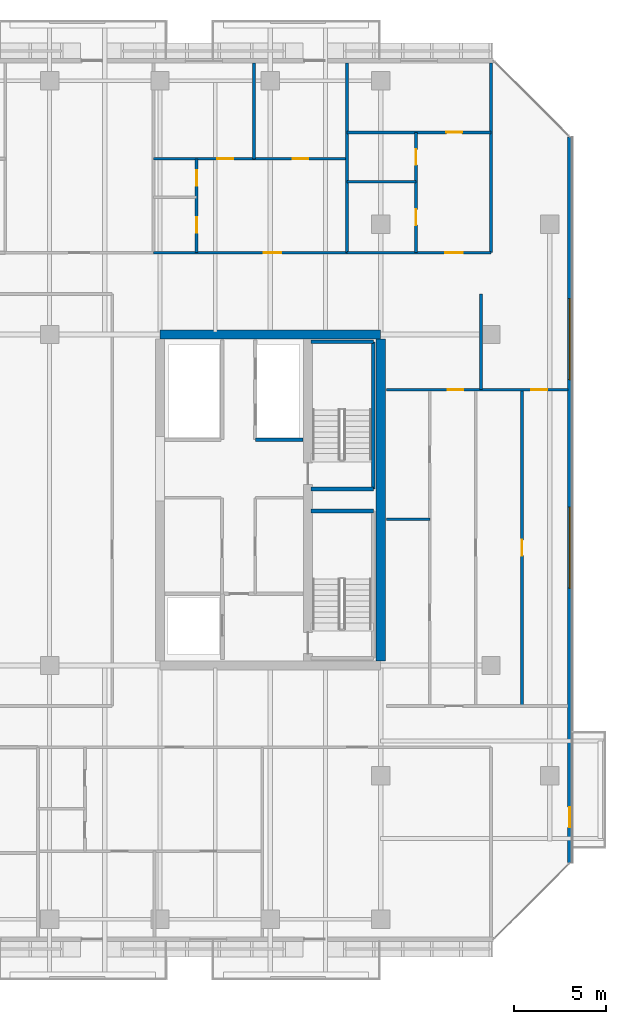
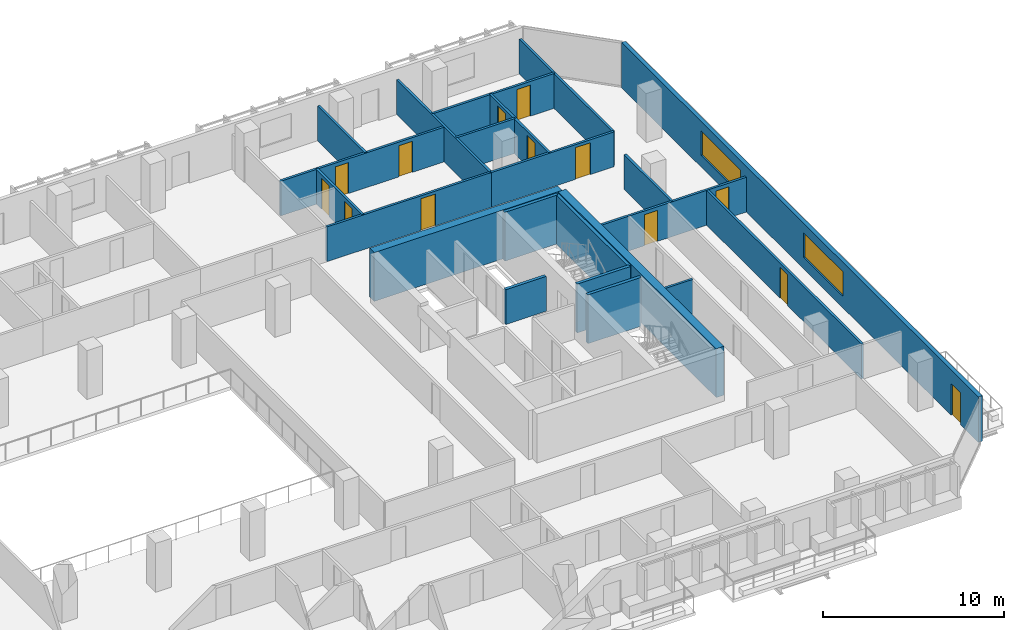
# One storey, part 26 of 33: 22 walls, 13 doors, 2 windows, 15 openings.
"""IFC4 building model written with IfcOpenShell, lengths in metres."""

from ifc_helpers import new_model, si_unit, direction, frame, frame_2d, origin, place, context, subcontext, project, spatial, rectangle, extrude, material, layer, layer_set, type_object, element, fill, save


model = new_model("IFC4")

# Units and contexts
model_context = context("Model", 3, precision=1e-05, world=origin(), true_north=direction((0.0, 1.0)))
body_context = subcontext(model_context, "Body", "Model", "MODEL_VIEW")
ifc_project = project(units=[si_unit("LENGTHUNIT", "METRE"), si_unit("AREAUNIT", "SQUARE_METRE"), si_unit("VOLUMEUNIT", "CUBIC_METRE"), si_unit("PLANEANGLEUNIT", "RADIAN"), si_unit("MASSUNIT", "GRAM", prefix="KILO")], contexts=[model_context])

# Site, building, storey
site_placement = place(None, origin())
site = spatial("IfcSite", under=ifc_project, at=site_placement, CompositionType="ELEMENT")
building_placement = place(site_placement, origin())
building = spatial("IfcBuilding", under=site, at=building_placement, Name="Tanjung Sevakor Pilgrim Tower", CompositionType="ELEMENT")
storey_placement = place(building_placement, frame((0.0, 0.0, 95.3701171875)))
storey = spatial("IfcBuildingStorey", under=building, at=storey_placement, Name="L26", CompositionType="ELEMENT", Elevation=95.3701171875)

# Walls
ifc_material_1 = material(Name="Concrete C60/75", Category="concrete")
ifc_layer_1 = layer(ifc_material_1, 0.5)
ifc_layer_set_1 = layer_set([ifc_layer_1], Name="WALL-CW-500")
wall_type_1 = type_object("IfcWallType", Name="WALL-CW-500", PredefinedType="SHEAR", material=ifc_layer_set_1)
wall_1_placement = place(storey_placement, frame((90.0, 42.60009765625, 0.0), z_axis=(0.0, 0.0, 1.0), x_axis=(-1.0, 0.0, 0.0)))
element("IfcWall", 1, at=wall_1_placement, inside=storey, type_object=wall_type_1, Name="L26 E Core North Shear Wall", PredefinedType="SHEAR", context=body_context, shape_type="SweptSolid", body=[
    extrude(rectangle(XDim=12.0, YDim=0.5, at=frame_2d((6.0, 0.0))), origin(), (0.0, 0.0, 1.0), 3.2998046875),
])
wall_2_placement = place(storey_placement, frame((90.0, 24.85009765625, 0.0), z_axis=(0.0, 0.0, 1.0), x_axis=(0.0, 1.0, 0.0)))
element("IfcWall", 2, at=wall_2_placement, inside=storey, type_object=wall_type_1, Name="L26 E Core Outer Shear Wall", PredefinedType="SHEAR", context=body_context, shape_type="SweptSolid", body=[
    extrude(rectangle(XDim=17.5, YDim=0.5, at=frame_2d((8.75, 0.0))), origin(), (0.0, 0.0, 1.0), 3.2998046875),
])
ifc_material_2 = material(Name="Concrete C40/50", Category="concrete")
ifc_layer_2 = layer(ifc_material_2, 0.14990234375)
ifc_layer_set_2 = layer_set([ifc_layer_2], Name="WT-COMP-150")
wall_type_2 = type_object("IfcWallType", Name="WT-COMP-150", PredefinedType="SOLIDWALL", material=ifc_layer_set_2)
for number, where, z_axis, x_axis, name in (
    (3, (96.0, 47.050048828125, 0.0), (0.0, 0.0, 1.0), (0.0, 1.0, 0.0), "L26 Partition IW-L26-083"),
    (4, (88.164306640625, 47.050048828125, 0.0), (0.0, 0.0, 1.0), (0.0, 1.0, 0.0), "L26 Partition IW-L26-094"),
):
    element("IfcWall", number, at=place(storey_placement, frame(where, z_axis=z_axis, x_axis=x_axis)), inside=storey, type_object=wall_type_2, Name=name, PredefinedType="SOLIDWALL", context=body_context, shape_type="SweptSolid", body=[
        extrude(rectangle(XDim=10.300048828125, YDim=0.14990234375, at=frame_2d((5.14990234375, 0.0))), origin(), (0.0, 0.0, 1.0), 2.35009765625),
    ])

# Wall, opening, door
wall_3_placement = place(storey_placement, frame((77.64208984375, 47.050048828125, 0.0), z_axis=(0.0, 0.0, 1.0), x_axis=(1.0, 0.0, 0.0)))
wall_3 = element("IfcWall", 5, at=wall_3_placement, inside=storey, type_object=wall_type_2, Name="L26 Partition IW-L26-099", PredefinedType="SOLIDWALL", context=body_context, shape_type="SweptSolid", body=[
    extrude(rectangle(XDim=10.522216796875, YDim=0.14990234375, at=frame_2d((5.26123046875, 0.0))), origin(), (0.0, 0.0, 1.0), 2.35009765625),
])
opening_1_placement = place(wall_3_placement, frame((6.001220703125, 0.0, 0.0)))
opening_1 = element("IfcOpeningElement", 6, at=opening_1_placement, cuts=wall_3, Name="Opening ID-FD2", PredefinedType="OPENING", context=body_context, shape_type="SweptSolid", body=[
    extrude(rectangle(XDim=0.949951171875, YDim=2.14990234375, at=frame_2d((0.47509765625, 1.074951171875))), frame((0.0, 0.0849609375, 0.0), z_axis=(0.0, -1.0, 0.0), x_axis=(1.0, 0.0, 0.0)), (0.0, 0.0, 1.0), 0.169921875),
])
ifc_material_3 = material(Name="Fire-Rated Timber", Category="wood")
door_type_1 = type_object("IfcDoorType", Name="DT-FIRE-950", OperationType="NOTDEFINED", PredefinedType="DOOR", material=ifc_material_3)
door_1_placement = place(opening_1_placement, origin())
door_1 = element("IfcDoor", 7, at=door_1_placement, inside=storey, type_object=door_type_1, Name="Suite Entrance", OperationType="SINGLE_SWING_RIGHT", OverallHeight=2.14990234375, OverallWidth=0.949951171875, PredefinedType="DOOR", context=body_context, shape_type="SweptSolid", body=[
    extrude(rectangle(XDim=0.949951171875, YDim=2.14990234375, at=frame_2d((0.47509765625, 1.074951171875))), frame((0.0, 0.02490234375, 0.0), z_axis=(0.0, -1.0, 0.0), x_axis=(1.0, 0.0, 0.0)), (0.0, 0.0, 1.0), 0.050048828125),
])
fill(opening_1, door_1)

wall_4_placement = place(storey_placement, frame((88.164306640625, 47.050048828125, 0.0), z_axis=(0.0, 0.0, 1.0), x_axis=(1.0, 0.0, 0.0)))
wall_4 = element("IfcWall", 8, at=wall_4_placement, inside=storey, type_object=wall_type_2, Name="L26 Partition IW-L26-103", PredefinedType="SOLIDWALL", context=body_context, shape_type="SweptSolid", body=[
    extrude(rectangle(XDim=7.835693359375, YDim=0.14990234375, at=frame_2d((3.91796875, 0.0))), origin(), (0.0, 0.0, 1.0), 2.35009765625),
])
opening_2_placement = place(wall_4_placement, frame((5.360595703125, 0.0, 0.0)))
opening_2 = element("IfcOpeningElement", 9, at=opening_2_placement, cuts=wall_4, Name="Opening ID-FD2", PredefinedType="OPENING", context=body_context, shape_type="SweptSolid", body=[
    extrude(rectangle(XDim=0.949951171875, YDim=2.14990234375, at=frame_2d((0.47509765625, 1.074951171875))), frame((0.0, 0.0849609375, 0.0), z_axis=(0.0, -1.0, 0.0), x_axis=(1.0, 0.0, 0.0)), (0.0, 0.0, 1.0), 0.169921875),
])
door_2_placement = place(opening_2_placement, origin())
door_2 = element("IfcDoor", 10, at=door_2_placement, inside=storey, type_object=door_type_1, Name="Residence Entrance", OperationType="SINGLE_SWING_RIGHT", OverallHeight=2.14990234375, OverallWidth=0.949951171875, PredefinedType="DOOR", context=body_context, shape_type="SweptSolid", body=[
    extrude(rectangle(XDim=0.949951171875, YDim=2.14990234375, at=frame_2d((0.47509765625, 1.074951171875))), frame((0.0, 0.02490234375, 0.0), z_axis=(0.0, -1.0, 0.0), x_axis=(1.0, 0.0, 0.0)), (0.0, 0.0, 1.0), 0.050048828125),
])
fill(opening_2, door_2)

# Wall, openings, door, windows
ifc_material_4 = material(Name="Precast concrete C45/55", Category="concrete")
ifc_layer_3 = layer(ifc_material_4, 0.25)
ifc_layer_set_3 = layer_set([ifc_layer_3], Name="WT-EW-STN3")
wall_type_3 = type_object("IfcWallType", Name="WT-EW-STN3", PredefinedType="SOLIDWALL", material=ifc_layer_set_3)
wall_5_placement = place(storey_placement, frame((100.27490234375, 13.851806640625, 0.0), z_axis=(0.0, 0.0, 1.0), x_axis=(0.0, 1.0, 0.0)))
wall_5 = element("IfcWall", 11, at=wall_5_placement, inside=storey, type_object=wall_type_3, Name="L26 MAIN Exterior Wall 7", PredefinedType="SOLIDWALL", context=body_context, shape_type="SweptSolid", body=[
    extrude(rectangle(XDim=39.496337890625, YDim=0.25, at=frame_2d((19.748046875, 0.0))), origin(), (0.0, 0.0, 1.0), 3.080078125),
])
opening_3_placement = place(wall_5_placement, frame((1.9482421875, 0.0, 0.0)))
opening_3 = element("IfcOpeningElement", 12, at=opening_3_placement, cuts=wall_5, Name="Opening ED-BAL-1100", PredefinedType="OPENING", context=body_context, shape_type="SweptSolid", body=[
    extrude(rectangle(XDim=1.10009765625, YDim=2.14990234375, at=frame_2d((0.550048828125, 1.074951171875))), frame((0.0, 0.135009765625, 0.0), z_axis=(0.0, -1.0, 0.0), x_axis=(1.0, 0.0, 0.0)), (0.0, 0.0, 1.0), 0.27001953125),
])
opening_4_placement = place(wall_5_placement, frame((14.958251953125, 0.0, 0.780029296875)))
opening_4 = element("IfcOpeningElement", 13, at=opening_4_placement, cuts=wall_5, Name="Opening WN-ENDW-1660", PredefinedType="OPENING", context=body_context, shape_type="SweptSolid", body=[
    extrude(rectangle(XDim=4.39990234375, YDim=1.659912109375, at=frame_2d((2.199951171875, 0.830078125))), frame((0.0, 0.135009765625, 0.0), z_axis=(0.0, -1.0, 0.0), x_axis=(1.0, 0.0, 0.0)), (0.0, 0.0, 1.0), 0.27001953125),
])
opening_5_placement = place(wall_5_placement, frame((26.298095703125, 0.0, 0.780029296875)))
opening_5 = element("IfcOpeningElement", 14, at=opening_5_placement, cuts=wall_5, Name="Opening WN-ENDW-1660", PredefinedType="OPENING", context=body_context, shape_type="SweptSolid", body=[
    extrude(rectangle(XDim=4.39990234375, YDim=1.659912109375, at=frame_2d((2.199951171875, 0.830078125))), frame((0.0, 0.135009765625, 0.0), z_axis=(0.0, -1.0, 0.0), x_axis=(1.0, 0.0, 0.0)), (0.0, 0.0, 1.0), 0.27001953125),
])
ifc_material_5 = material(Name="Anodised Aluminium and Laminated Glass", Category="aluminium")
door_type_2 = type_object("IfcDoorType", Name="DTYP-ED-BAL-1100", OperationType="NOTDEFINED", PredefinedType="DOOR", material=ifc_material_5)
door_3_placement = place(opening_3_placement, frame((1.10009765625, 0.0, 0.0), z_axis=(0.0, 0.0, 1.0), x_axis=(-1.0, 0.0, 0.0)))
door_3 = element("IfcDoor", 15, at=door_3_placement, inside=storey, type_object=door_type_2, Name="L26 East Loggia Door MAIN-E1", OperationType="SINGLE_SWING_RIGHT", OverallHeight=2.14990234375, OverallWidth=1.10009765625, PredefinedType="DOOR", context=body_context, shape_type="SweptSolid", body=[
    extrude(rectangle(XDim=1.10009765625, YDim=2.14990234375, at=frame_2d((0.550048828125, 1.074951171875))), frame((0.0, 0.02490234375, 0.0), z_axis=(0.0, -1.0, 0.0), x_axis=(1.0, 0.0, 0.0)), (0.0, 0.0, 1.0), 0.050048828125),
])
fill(opening_3, door_3)
ifc_material_6 = material(Name="Thermally Broken Aluminium and Low-E Glass", Category="aluminium")
window_type = type_object("IfcWindowType", Name="WTYP-WN-ENDW-1660", PartitioningType="DOUBLE_PANEL_VERTICAL", PredefinedType="WINDOW", material=ifc_material_6)
window_1_placement = place(opening_4_placement, origin())
window_1 = element("IfcWindow", 16, at=window_1_placement, inside=storey, type_object=window_type, Name="L26 Facade Window 01", OverallHeight=1.659912109375, OverallWidth=4.39990234375, PartitioningType="SINGLE_PANEL", PredefinedType="WINDOW", context=body_context, shape_type="SweptSolid", body=[
    extrude(rectangle(XDim=4.39990234375, YDim=1.659912109375, at=frame_2d((2.199951171875, 0.830078125))), frame((0.0, 0.030029296875, 0.0), z_axis=(0.0, -1.0, 0.0), x_axis=(1.0, 0.0, 0.0)), (0.0, 0.0, 1.0), 0.06005859375),
])
fill(opening_4, window_1)
window_2_placement = place(opening_5_placement, origin())
window_2 = element("IfcWindow", 17, at=window_2_placement, inside=storey, type_object=window_type, Name="L26 Facade Window 02", OverallHeight=1.659912109375, OverallWidth=4.39990234375, PartitioningType="SINGLE_PANEL", PredefinedType="WINDOW", context=body_context, shape_type="SweptSolid", body=[
    extrude(rectangle(XDim=4.39990234375, YDim=1.659912109375, at=frame_2d((2.199951171875, 0.830078125))), frame((0.0, 0.030029296875, 0.0), z_axis=(0.0, -1.0, 0.0), x_axis=(1.0, 0.0, 0.0)), (0.0, 0.0, 1.0), 0.06005859375),
])
fill(opening_5, window_2)

# Walls
ifc_material_7 = material(Name="Concrete C40/50", Category="concrete")
ifc_layer_4 = layer(ifc_material_7, 0.199951171875)
ifc_layer_set_4 = layer_set([ifc_layer_4], Name="WT-FIRE-200")
wall_type_4 = type_object("IfcWallType", Name="WT-FIRE-200", PredefinedType="SOLIDWALL", material=ifc_layer_set_4)
for number, where, z_axis, x_axis, name in (
    (18, (89.60009765625, 33.0, 0.0), (0.0, 0.0, 1.0), (-1.0, 0.0, 0.0), "L26 TS-E1 Shaft Wall 3"),
    (19, (86.199951171875, 34.199951171875, 0.0), (0.0, 0.0, 1.0), (1.0, 0.0, 0.0), "L26 TS-E2 Shaft Wall 1"),
):
    element("IfcWall", number, at=place(storey_placement, frame(where, z_axis=z_axis, x_axis=x_axis)), inside=storey, type_object=wall_type_4, Name=name, PredefinedType="SOLIDWALL", context=body_context, shape_type="SweptSolid", body=[
        extrude(rectangle(XDim=3.400146484375, YDim=0.199951171875, at=frame_2d((1.7001953125, 0.0))), origin(), (0.0, 0.0, 1.0), 3.2998046875),
    ])
wall_6_placement = place(storey_placement, frame((89.60009765625, 34.199951171875, 0.0), z_axis=(0.0, 0.0, 1.0), x_axis=(0.0, 1.0, 0.0)))
element("IfcWall", 20, at=wall_6_placement, inside=storey, type_object=wall_type_4, Name="L26 TS-E2 Shaft Wall 2", PredefinedType="SOLIDWALL", context=body_context, shape_type="SweptSolid", body=[
    extrude(rectangle(XDim=8.0, YDim=0.199951171875, at=frame_2d((4.0, 0.0))), origin(), (0.0, 0.0, 1.0), 3.2998046875),
])
wall_7_placement = place(storey_placement, frame((89.60009765625, 42.199951171875, 0.0), z_axis=(0.0, 0.0, 1.0), x_axis=(-1.0, 0.0, 0.0)))
element("IfcWall", 21, at=wall_7_placement, inside=storey, type_object=wall_type_4, Name="L26 TS-E2 Shaft Wall 3", PredefinedType="SOLIDWALL", context=body_context, shape_type="SweptSolid", body=[
    extrude(rectangle(XDim=3.400146484375, YDim=0.199951171875, at=frame_2d((1.7001953125, 0.0))), origin(), (0.0, 0.0, 1.0), 3.2998046875),
])
ifc_material_8 = material(Name="Concrete C40/50", Category="concrete")
ifc_layer_5 = layer(ifc_material_8, 0.199951171875)
ifc_layer_set_5 = layer_set([ifc_layer_5], Name="WT-FPRT-200")
wall_type_5 = type_object("IfcWallType", Name="WT-FPRT-200", PredefinedType="SOLIDWALL", material=ifc_layer_set_5)
wall_8_placement = place(storey_placement, frame((83.199951171875, 36.8798828125, 0.0), z_axis=(0.0, 0.0, 1.0), x_axis=(1.0, 0.0, 0.0)))
element("IfcWall", 22, at=wall_8_placement, inside=storey, type_object=wall_type_5, Name="L26 Partition IW-L26-017", PredefinedType="SOLIDWALL", context=body_context, shape_type="SweptSolid", body=[
    extrude(rectangle(XDim=2.580078125, YDim=0.199951171875, at=frame_2d((1.2900390625, 0.0))), origin(), (0.0, 0.0, 1.0), 2.35009765625),
])

# Wall, opening, door
ifc_material_9 = material(Name="Gypsum Board Partition", Category="gypsum board")
ifc_layer_6 = layer(ifc_material_9, 0.14990234375)
ifc_layer_set_6 = layer_set([ifc_layer_6], Name="WT-PART-150")
wall_type_6 = type_object("IfcWallType", Name="WT-PART-150", PredefinedType="PARTITIONING", material=ifc_layer_set_6)
wall_9_placement = place(storey_placement, frame((97.683349609375, 22.39990234375, 0.0), z_axis=(0.0, 0.0, 1.0), x_axis=(0.0, 1.0, 0.0)))
wall_9 = element("IfcWall", 23, at=wall_9_placement, inside=storey, type_object=wall_type_6, Name="L26 Partition IW-L26-031", PredefinedType="PARTITIONING", context=body_context, shape_type="SweptSolid", body=[
    extrude(rectangle(XDim=17.2001953125, YDim=0.14990234375, at=frame_2d((8.60009765625, 0.0))), origin(), (0.0, 0.0, 1.0), 2.35009765625),
])
opening_6_placement = place(wall_9_placement, frame((8.175048828125, 0.0, 0.0)))
opening_6 = element("IfcOpeningElement", 24, at=opening_6_placement, cuts=wall_9, Name="Opening ID-WC1", PredefinedType="OPENING", context=body_context, shape_type="SweptSolid", body=[
    extrude(rectangle(XDim=0.85009765625, YDim=2.10009765625, at=frame_2d((0.425048828125, 1.050048828125))), frame((0.0, 0.0849609375, 0.0), z_axis=(0.0, -1.0, 0.0), x_axis=(1.0, 0.0, 0.0)), (0.0, 0.0, 1.0), 0.169921875),
])
ifc_material_10 = material(Name="Moisture-Resistant Timber", Category="wood")
door_type_3 = type_object("IfcDoorType", Name="DT-INT-850", OperationType="NOTDEFINED", PredefinedType="DOOR", material=ifc_material_10)
door_4_placement = place(opening_6_placement, origin())
door_4 = element("IfcDoor", 25, at=door_4_placement, inside=storey, type_object=door_type_3, Name="Suite Reading Room Door", OperationType="SINGLE_SWING_RIGHT", OverallHeight=2.10009765625, OverallWidth=0.85009765625, PredefinedType="DOOR", context=body_context, shape_type="SweptSolid", body=[
    extrude(rectangle(XDim=0.85009765625, YDim=2.10009765625, at=frame_2d((0.425048828125, 1.050048828125))), frame((0.0, 0.02490234375, 0.0), z_axis=(0.0, -1.0, 0.0), x_axis=(1.0, 0.0, 0.0)), (0.0, 0.0, 1.0), 0.050048828125),
])
fill(opening_6, door_4)

# Walls
wall_10_placement = place(storey_placement, frame((90.320068359375, 32.548095703125, 0.0), z_axis=(0.0, 0.0, 1.0), x_axis=(1.0, 0.0, 0.0)))
element("IfcWall", 26, at=wall_10_placement, inside=storey, type_object=wall_type_6, Name="L26 Partition IW-L26-032", PredefinedType="PARTITIONING", context=body_context, shape_type="SweptSolid", body=[
    extrude(rectangle(XDim=2.349853515625, YDim=0.14990234375, at=frame_2d((1.1748046875, 0.0))), origin(), (0.0, 0.0, 1.0), 2.35009765625),
])
wall_11_placement = place(storey_placement, frame((95.452392578125, 39.60009765625, 0.0), z_axis=(0.0, 0.0, 1.0), x_axis=(0.0, 1.0, 0.0)))
element("IfcWall", 27, at=wall_11_placement, inside=storey, type_object=wall_type_6, Name="L26 Partition IW-L26-034", PredefinedType="PARTITIONING", context=body_context, shape_type="SweptSolid", body=[
    extrude(rectangle(XDim=5.199951171875, YDim=0.14990234375, at=frame_2d((2.60009765625, 0.0))), origin(), (0.0, 0.0, 1.0), 2.35009765625),
])

# Wall, openings, doors
wall_12_placement = place(storey_placement, frame((90.320068359375, 39.60009765625, 0.0), z_axis=(0.0, 0.0, 1.0), x_axis=(1.0, 0.0, 0.0)))
wall_12 = element("IfcWall", 28, at=wall_12_placement, inside=storey, type_object=wall_type_6, Name="L26 Partition IW-L26-035", PredefinedType="PARTITIONING", context=body_context, shape_type="SweptSolid", body=[
    extrude(rectangle(XDim=9.869873046875, YDim=0.14990234375, at=frame_2d((4.93505859375, 0.0))), origin(), (0.0, 0.0, 1.0), 2.35009765625),
])
opening_7_placement = place(wall_12_placement, frame((3.316162109375, 0.0, 0.0)))
opening_7 = element("IfcOpeningElement", 29, at=opening_7_placement, cuts=wall_12, Name="Opening ID-WC1", PredefinedType="OPENING", context=body_context, shape_type="SweptSolid", body=[
    extrude(rectangle(XDim=0.85009765625, YDim=2.10009765625, at=frame_2d((0.425048828125, 1.050048828125))), frame((0.0, 0.0849609375, 0.0), z_axis=(0.0, -1.0, 0.0), x_axis=(1.0, 0.0, 0.0)), (0.0, 0.0, 1.0), 0.169921875),
])
opening_8_placement = place(wall_12_placement, frame((7.876220703125, 0.0, 0.0)))
opening_8 = element("IfcOpeningElement", 30, at=opening_8_placement, cuts=wall_12, Name="Opening ID-WC1", PredefinedType="OPENING", context=body_context, shape_type="SweptSolid", body=[
    extrude(rectangle(XDim=0.85009765625, YDim=2.10009765625, at=frame_2d((0.425048828125, 1.050048828125))), frame((0.0, 0.0849609375, 0.0), z_axis=(0.0, -1.0, 0.0), x_axis=(1.0, 0.0, 0.0)), (0.0, 0.0, 1.0), 0.169921875),
])
door_5_placement = place(opening_7_placement, origin())
door_5 = element("IfcDoor", 31, at=door_5_placement, inside=storey, type_object=door_type_3, Name="Suite Bedroom 1 Door", OperationType="SINGLE_SWING_LEFT", OverallHeight=2.10009765625, OverallWidth=0.85009765625, PredefinedType="DOOR", context=body_context, shape_type="SweptSolid", body=[
    extrude(rectangle(XDim=0.85009765625, YDim=2.10009765625, at=frame_2d((0.425048828125, 1.050048828125))), frame((0.0, 0.02490234375, 0.0), z_axis=(0.0, -1.0, 0.0), x_axis=(1.0, 0.0, 0.0)), (0.0, 0.0, 1.0), 0.050048828125),
])
fill(opening_7, door_5)
door_6_placement = place(opening_8_placement, origin())
door_6 = element("IfcDoor", 32, at=door_6_placement, inside=storey, type_object=door_type_3, Name="Suite Bedroom 2 Door", OperationType="SINGLE_SWING_RIGHT", OverallHeight=2.10009765625, OverallWidth=0.85009765625, PredefinedType="DOOR", context=body_context, shape_type="SweptSolid", body=[
    extrude(rectangle(XDim=0.85009765625, YDim=2.10009765625, at=frame_2d((0.425048828125, 1.050048828125))), frame((0.0, 0.02490234375, 0.0), z_axis=(0.0, -1.0, 0.0), x_axis=(1.0, 0.0, 0.0)), (0.0, 0.0, 1.0), 0.050048828125),
])
fill(opening_8, door_6)

wall_13_placement = place(storey_placement, frame((79.9921875, 47.050048828125, 0.0), z_axis=(0.0, 0.0, 1.0), x_axis=(0.0, 1.0, 0.0)))
wall_13 = element("IfcWall", 33, at=wall_13_placement, inside=storey, type_object=wall_type_6, Name="L26 Partition IW-L26-096", PredefinedType="PARTITIONING", context=body_context, shape_type="SweptSolid", body=[
    extrude(rectangle(XDim=5.099853515625, YDim=0.14990234375, at=frame_2d((2.5498046875, 0.0))), origin(), (0.0, 0.0, 1.0), 2.35009765625),
])
opening_9_placement = place(wall_13_placement, frame((1.07958984375, 0.0, 0.0)))
opening_9 = element("IfcOpeningElement", 34, at=opening_9_placement, cuts=wall_13, Name="Opening ID-WC1", PredefinedType="OPENING", context=body_context, shape_type="SweptSolid", body=[
    extrude(rectangle(XDim=0.85009765625, YDim=2.10009765625, at=frame_2d((0.425048828125, 1.050048828125))), frame((0.0, 0.0849609375, 0.0), z_axis=(0.0, -1.0, 0.0), x_axis=(1.0, 0.0, 0.0)), (0.0, 0.0, 1.0), 0.169921875),
])
opening_10_placement = place(wall_13_placement, frame((3.62939453125, 0.0, 0.0)))
opening_10 = element("IfcOpeningElement", 35, at=opening_10_placement, cuts=wall_13, Name="Opening ID-WC1", PredefinedType="OPENING", context=body_context, shape_type="SweptSolid", body=[
    extrude(rectangle(XDim=0.85009765625, YDim=2.10009765625, at=frame_2d((0.425048828125, 1.050048828125))), frame((0.0, 0.0849609375, 0.0), z_axis=(0.0, -1.0, 0.0), x_axis=(1.0, 0.0, 0.0)), (0.0, 0.0, 1.0), 0.169921875),
])
door_7_placement = place(opening_9_placement, origin())
door_7 = element("IfcDoor", 36, at=door_7_placement, inside=storey, type_object=door_type_3, Name="Suite Kitchenette Door", OperationType="SINGLE_SWING_RIGHT", OverallHeight=2.10009765625, OverallWidth=0.85009765625, PredefinedType="DOOR", context=body_context, shape_type="SweptSolid", body=[
    extrude(rectangle(XDim=0.85009765625, YDim=2.10009765625, at=frame_2d((0.425048828125, 1.050048828125))), frame((0.0, 0.02490234375, 0.0), z_axis=(0.0, -1.0, 0.0), x_axis=(1.0, 0.0, 0.0)), (0.0, 0.0, 1.0), 0.050048828125),
])
fill(opening_9, door_7)
door_8_placement = place(opening_10_placement, origin())
door_8 = element("IfcDoor", 37, at=door_8_placement, inside=storey, type_object=door_type_3, Name="Suite Bathroom Door", OperationType="SINGLE_SWING_LEFT", OverallHeight=2.10009765625, OverallWidth=0.85009765625, PredefinedType="DOOR", context=body_context, shape_type="SweptSolid", body=[
    extrude(rectangle(XDim=0.85009765625, YDim=2.10009765625, at=frame_2d((0.425048828125, 1.050048828125))), frame((0.0, 0.02490234375, 0.0), z_axis=(0.0, -1.0, 0.0), x_axis=(1.0, 0.0, 0.0)), (0.0, 0.0, 1.0), 0.050048828125),
])
fill(opening_10, door_8)

# Wall
wall_14_placement = place(storey_placement, frame((83.113525390625, 52.14990234375, 0.0), z_axis=(0.0, 0.0, 1.0), x_axis=(0.0, 1.0, 0.0)))
element("IfcWall", 38, at=wall_14_placement, inside=storey, type_object=wall_type_6, Name="L26 Partition IW-L26-097", PredefinedType="PARTITIONING", context=body_context, shape_type="SweptSolid", body=[
    extrude(rectangle(XDim=5.2001953125, YDim=0.14990234375, at=frame_2d((2.60009765625, 0.0))), origin(), (0.0, 0.0, 1.0), 2.35009765625),
])

# Wall, openings, doors
wall_15_placement = place(storey_placement, frame((77.64208984375, 52.14990234375, 0.0), z_axis=(0.0, 0.0, 1.0), x_axis=(1.0, 0.0, 0.0)))
wall_15 = element("IfcWall", 39, at=wall_15_placement, inside=storey, type_object=wall_type_6, Name="L26 Partition IW-L26-098", PredefinedType="PARTITIONING", context=body_context, shape_type="SweptSolid", body=[
    extrude(rectangle(XDim=10.522216796875, YDim=0.14990234375, at=frame_2d((5.26123046875, 0.0))), origin(), (0.0, 0.0, 1.0), 2.35009765625),
])
opening_11_placement = place(wall_15_placement, frame((3.48583984375, 0.0, 0.0)))
opening_11 = element("IfcOpeningElement", 40, at=opening_11_placement, cuts=wall_15, Name="Opening ID-WC1", PredefinedType="OPENING", context=body_context, shape_type="SweptSolid", body=[
    extrude(rectangle(XDim=0.85009765625, YDim=2.10009765625, at=frame_2d((0.425048828125, 1.050048828125))), frame((0.0, 0.0849609375, 0.0), z_axis=(0.0, -1.0, 0.0), x_axis=(1.0, 0.0, 0.0)), (0.0, 0.0, 1.0), 0.169921875),
])
opening_12_placement = place(wall_15_placement, frame((7.57177734375, 0.0, 0.0)))
opening_12 = element("IfcOpeningElement", 41, at=opening_12_placement, cuts=wall_15, Name="Opening ID-WC1", PredefinedType="OPENING", context=body_context, shape_type="SweptSolid", body=[
    extrude(rectangle(XDim=0.85009765625, YDim=2.10009765625, at=frame_2d((0.425048828125, 1.050048828125))), frame((0.0, 0.0849609375, 0.0), z_axis=(0.0, -1.0, 0.0), x_axis=(1.0, 0.0, 0.0)), (0.0, 0.0, 1.0), 0.169921875),
])
door_9_placement = place(opening_11_placement, origin())
door_9 = element("IfcDoor", 42, at=door_9_placement, inside=storey, type_object=door_type_3, Name="Suite Bedroom 1 Door", OperationType="SINGLE_SWING_RIGHT", OverallHeight=2.10009765625, OverallWidth=0.85009765625, PredefinedType="DOOR", context=body_context, shape_type="SweptSolid", body=[
    extrude(rectangle(XDim=0.85009765625, YDim=2.10009765625, at=frame_2d((0.425048828125, 1.050048828125))), frame((0.0, 0.02490234375, 0.0), z_axis=(0.0, -1.0, 0.0), x_axis=(1.0, 0.0, 0.0)), (0.0, 0.0, 1.0), 0.050048828125),
])
fill(opening_11, door_9)
door_10_placement = place(opening_12_placement, origin())
door_10 = element("IfcDoor", 43, at=door_10_placement, inside=storey, type_object=door_type_3, Name="Suite Bedroom 2 Door", OperationType="SINGLE_SWING_LEFT", OverallHeight=2.10009765625, OverallWidth=0.85009765625, PredefinedType="DOOR", context=body_context, shape_type="SweptSolid", body=[
    extrude(rectangle(XDim=0.85009765625, YDim=2.10009765625, at=frame_2d((0.425048828125, 1.050048828125))), frame((0.0, 0.02490234375, 0.0), z_axis=(0.0, -1.0, 0.0), x_axis=(1.0, 0.0, 0.0)), (0.0, 0.0, 1.0), 0.050048828125),
])
fill(opening_12, door_10)

# Wall
wall_16_placement = place(storey_placement, frame((88.164306640625, 50.90576171875, 0.0), z_axis=(0.0, 0.0, 1.0), x_axis=(1.0, 0.0, 0.0)))
element("IfcWall", 44, at=wall_16_placement, inside=storey, type_object=wall_type_6, Name="L26 Partition IW-L26-100", PredefinedType="PARTITIONING", context=body_context, shape_type="SweptSolid", body=[
    extrude(rectangle(XDim=3.755615234375, YDim=0.14990234375, at=frame_2d((1.8779296875, 0.0))), origin(), (0.0, 0.0, 1.0), 2.35009765625),
])

# Wall, openings, doors
wall_17_placement = place(storey_placement, frame((91.919921875, 47.050048828125, 0.0), z_axis=(0.0, 0.0, 1.0), x_axis=(0.0, 1.0, 0.0)))
wall_17 = element("IfcWall", 45, at=wall_17_placement, inside=storey, type_object=wall_type_6, Name="L26 Partition IW-L26-101", PredefinedType="PARTITIONING", context=body_context, shape_type="SweptSolid", body=[
    extrude(rectangle(XDim=6.53515625, YDim=0.14990234375, at=frame_2d((3.267578125, 0.0))), origin(), (0.0, 0.0, 1.0), 2.35009765625),
])
opening_13_placement = place(wall_17_placement, frame((1.5029296875, 0.0, 0.0)))
opening_13 = element("IfcOpeningElement", 46, at=opening_13_placement, cuts=wall_17, Name="Opening ID-WC1", PredefinedType="OPENING", context=body_context, shape_type="SweptSolid", body=[
    extrude(rectangle(XDim=0.85009765625, YDim=2.10009765625, at=frame_2d((0.425048828125, 1.050048828125))), frame((0.0, 0.0849609375, 0.0), z_axis=(0.0, -1.0, 0.0), x_axis=(1.0, 0.0, 0.0)), (0.0, 0.0, 1.0), 0.169921875),
])
opening_14_placement = place(wall_17_placement, frame((4.7705078125, 0.0, 0.0)))
opening_14 = element("IfcOpeningElement", 47, at=opening_14_placement, cuts=wall_17, Name="Opening ID-WC1", PredefinedType="OPENING", context=body_context, shape_type="SweptSolid", body=[
    extrude(rectangle(XDim=0.85009765625, YDim=2.10009765625, at=frame_2d((0.425048828125, 1.050048828125))), frame((0.0, 0.0849609375, 0.0), z_axis=(0.0, -1.0, 0.0), x_axis=(1.0, 0.0, 0.0)), (0.0, 0.0, 1.0), 0.169921875),
])
door_11_placement = place(opening_13_placement, origin())
door_11 = element("IfcDoor", 48, at=door_11_placement, inside=storey, type_object=door_type_3, Name="Residence Kitchenette Door", OperationType="SINGLE_SWING_LEFT", OverallHeight=2.10009765625, OverallWidth=0.85009765625, PredefinedType="DOOR", context=body_context, shape_type="SweptSolid", body=[
    extrude(rectangle(XDim=0.85009765625, YDim=2.10009765625, at=frame_2d((0.425048828125, 1.050048828125))), frame((0.0, 0.02490234375, 0.0), z_axis=(0.0, -1.0, 0.0), x_axis=(1.0, 0.0, 0.0)), (0.0, 0.0, 1.0), 0.050048828125),
])
fill(opening_13, door_11)
door_12_placement = place(opening_14_placement, origin())
door_12 = element("IfcDoor", 49, at=door_12_placement, inside=storey, type_object=door_type_3, Name="Residence Bathroom Door", OperationType="SINGLE_SWING_RIGHT", OverallHeight=2.10009765625, OverallWidth=0.85009765625, PredefinedType="DOOR", context=body_context, shape_type="SweptSolid", body=[
    extrude(rectangle(XDim=0.85009765625, YDim=2.10009765625, at=frame_2d((0.425048828125, 1.050048828125))), frame((0.0, 0.02490234375, 0.0), z_axis=(0.0, -1.0, 0.0), x_axis=(1.0, 0.0, 0.0)), (0.0, 0.0, 1.0), 0.050048828125),
])
fill(opening_14, door_12)

# Wall, opening, door
wall_18_placement = place(storey_placement, frame((88.164306640625, 53.585205078125, 0.0), z_axis=(0.0, 0.0, 1.0), x_axis=(1.0, 0.0, 0.0)))
wall_18 = element("IfcWall", 50, at=wall_18_placement, inside=storey, type_object=wall_type_6, Name="L26 Partition IW-L26-102", PredefinedType="PARTITIONING", context=body_context, shape_type="SweptSolid", body=[
    extrude(rectangle(XDim=7.835693359375, YDim=0.14990234375, at=frame_2d((3.91796875, 0.0))), origin(), (0.0, 0.0, 1.0), 2.35009765625),
])
opening_15_placement = place(wall_18_placement, frame((5.41064453125, 0.0, 0.0)))
opening_15 = element("IfcOpeningElement", 51, at=opening_15_placement, cuts=wall_18, Name="Opening ID-WC1", PredefinedType="OPENING", context=body_context, shape_type="SweptSolid", body=[
    extrude(rectangle(XDim=0.85009765625, YDim=2.10009765625, at=frame_2d((0.425048828125, 1.050048828125))), frame((0.0, 0.0849609375, 0.0), z_axis=(0.0, -1.0, 0.0), x_axis=(1.0, 0.0, 0.0)), (0.0, 0.0, 1.0), 0.169921875),
])
door_13_placement = place(opening_15_placement, origin())
door_13 = element("IfcDoor", 52, at=door_13_placement, inside=storey, type_object=door_type_3, Name="Residence Bedroom Door", OperationType="SINGLE_SWING_LEFT", OverallHeight=2.10009765625, OverallWidth=0.85009765625, PredefinedType="DOOR", context=body_context, shape_type="SweptSolid", body=[
    extrude(rectangle(XDim=0.85009765625, YDim=2.10009765625, at=frame_2d((0.425048828125, 1.050048828125))), frame((0.0, 0.02490234375, 0.0), z_axis=(0.0, -1.0, 0.0), x_axis=(1.0, 0.0, 0.0)), (0.0, 0.0, 1.0), 0.050048828125),
])
fill(opening_15, door_13)

save(model, "model.ifc")
